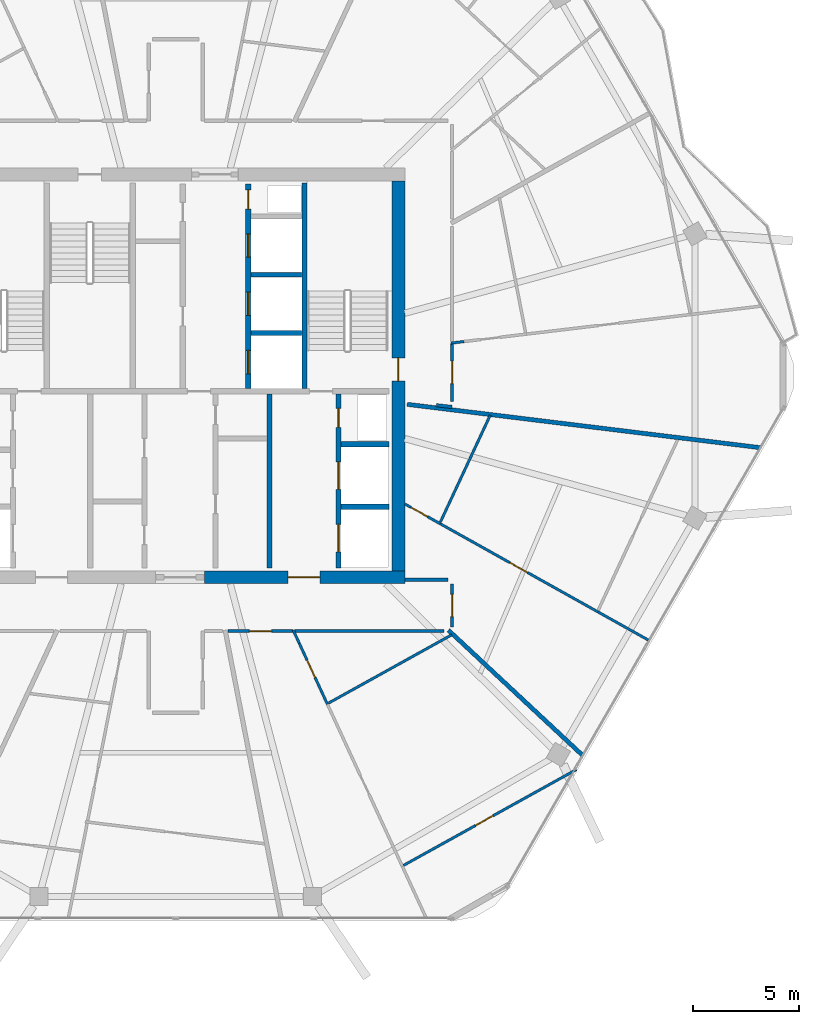
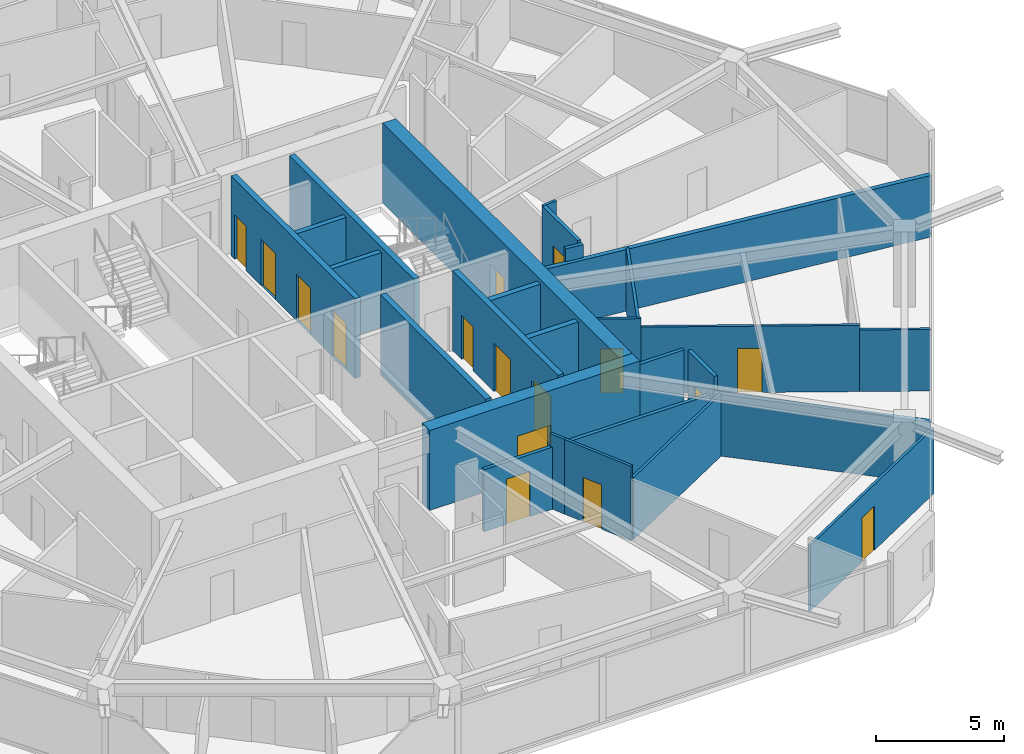
# One storey, part 20 of 26: 27 walls, 16 doors, 16 openings.
"""IFC4 building model written with IfcOpenShell, lengths in metres."""

from ifc_helpers import new_model, si_unit, direction, frame, frame_2d, origin, place, context, subcontext, project, spatial, rectangle, extrude, material, layer, layer_set, type_object, element, fill, save


model = new_model("IFC4")

# Units and contexts
model_context = context("Model", 3, precision=1e-05, world=origin(), true_north=direction((0.0, 1.0)))
body_context = subcontext(model_context, "Body", "Model", "MODEL_VIEW")
ifc_project = project(units=[si_unit("LENGTHUNIT", "METRE"), si_unit("AREAUNIT", "SQUARE_METRE"), si_unit("VOLUMEUNIT", "CUBIC_METRE"), si_unit("PLANEANGLEUNIT", "RADIAN"), si_unit("MASSUNIT", "GRAM", prefix="KILO")], contexts=[model_context])

# Site, building, storey
site_placement = place(None, origin())
site = spatial("IfcSite", under=ifc_project, at=site_placement, CompositionType="ELEMENT")
building_placement = place(site_placement, origin())
building = spatial("IfcBuilding", under=site, at=building_placement, Name="Zuhravey Tower", CompositionType="ELEMENT")
storey_placement = place(building_placement, frame((0.0, 0.0, 273.0)))
storey = spatial("IfcBuildingStorey", under=building, at=storey_placement, Name="L69", CompositionType="ELEMENT", Elevation=273.0)

# Wall, opening, door
ifc_material_1 = material(Name="Concrete C50/60", Category="concrete")
ifc_layer_1 = layer(ifc_material_1, 0.60009765625)
ifc_layer_set_1 = layer_set([ifc_layer_1], Name="Concrete C50/60")
wall_type_1 = type_object("IfcWallType", Name="Core Shear Wall 600", PredefinedType="SHEAR", material=ifc_layer_set_1)
wall_1_placement = place(storey_placement, frame((37.35009765625, 22.5, 0.0), z_axis=(0.0, 0.0, 1.0), x_axis=(1.0, 0.0, 0.0)))
wall_1 = element("IfcWall", 1, at=wall_1_placement, inside=storey, type_object=wall_type_1, Name="L69 South-East Core Shear Wall CW60", PredefinedType="SHEAR", context=body_context, shape_type="SweptSolid", body=[
    extrude(rectangle(XDim=9.449951171875, YDim=0.60009765625, at=frame_2d((4.72509765625, 0.0))), origin(), (0.0, 0.0, 1.0), 3.800048828125),
])
opening_1_placement = place(wall_1_placement, frame((3.949951171875, 0.0, 0.0)))
opening_1 = element("IfcOpeningElement", 2, at=opening_1_placement, cuts=wall_1, Name="Opening FFD1", PredefinedType="OPENING", context=body_context, shape_type="SweptSolid", body=[
    extrude(rectangle(XDim=1.5, YDim=2.14990234375, at=frame_2d((0.75, 1.074951171875))), frame((0.0, 0.31201171875, 0.0), z_axis=(0.0, -1.0, 0.0), x_axis=(1.0, 0.0, 0.0)), (0.0, 0.0, 1.0), 0.6240234375),
])
ifc_material_2 = material(Name="Galvanised fire-rated steel leaf", Category="steel")
door_type_1 = type_object("IfcDoorType", Name="Firefighting Lobby Double Door 1500x2150", OperationType="DOUBLE_DOOR_SINGLE_SWING", PredefinedType="DOOR", material=ifc_material_2)
door_1_placement = place(opening_1_placement, origin())
door_1 = element("IfcDoor", 3, at=door_1_placement, inside=storey, type_object=door_type_1, Name="L69 Firefighting Lobby East Door", OperationType="DOUBLE_DOOR_SINGLE_SWING", OverallHeight=2.14990234375, OverallWidth=1.5, PredefinedType="DOOR", context=body_context, shape_type="SweptSolid", body=[
    extrude(rectangle(XDim=1.5, YDim=2.14990234375, at=frame_2d((0.75, 1.074951171875))), frame((0.0, 0.02490234375, 0.0), z_axis=(0.0, -1.0, 0.0), x_axis=(1.0, 0.0, 0.0)), (0.0, 0.0, 1.0), 0.050048828125),
])
fill(opening_1, door_1)

wall_2_placement = place(storey_placement, frame((46.5, 22.800048828125, 0.0), z_axis=(0.0, 0.0, 1.0), x_axis=(0.0, 1.0, 0.0)))
wall_2 = element("IfcWall", 4, at=wall_2_placement, inside=storey, type_object=wall_type_1, Name="L69 East Core Shear Wall CW60", PredefinedType="SHEAR", context=body_context, shape_type="SweptSolid", body=[
    extrude(rectangle(XDim=18.39990234375, YDim=0.60009765625, at=frame_2d((9.199951171875, 0.0))), origin(), (0.0, 0.0, 1.0), 3.800048828125),
])
opening_2_placement = place(wall_2_placement, frame((8.949951171875, 0.0, 0.0)))
opening_2 = element("IfcOpeningElement", 5, at=opening_2_placement, cuts=wall_2, Name="Opening STD1", PredefinedType="OPENING", context=body_context, shape_type="SweptSolid", body=[
    extrude(rectangle(XDim=1.10009765625, YDim=2.14990234375, at=frame_2d((0.550048828125, 1.074951171875))), frame((0.0, 0.31201171875, 0.0), z_axis=(0.0, -1.0, 0.0), x_axis=(1.0, 0.0, 0.0)), (0.0, 0.0, 1.0), 0.6240234375),
])
door_type_2 = type_object("IfcDoorType", Name="Protected Stair Fire Door 1100x2150", OperationType="NOTDEFINED", PredefinedType="USERDEFINED", material=ifc_material_2)
door_2_placement = place(opening_2_placement, origin())
door_2 = element("IfcDoor", 6, at=door_2_placement, inside=storey, type_object=door_type_2, Name="L69 Stair ST2 Door", ObjectType="EXITDOOR", OperationType="SINGLE_SWING_LEFT", OverallHeight=2.14990234375, OverallWidth=1.10009765625, PredefinedType="USERDEFINED", context=body_context, shape_type="SweptSolid", body=[
    extrude(rectangle(XDim=1.10009765625, YDim=2.14990234375, at=frame_2d((0.550048828125, 1.074951171875))), frame((0.0, 0.02490234375, 0.0), z_axis=(0.0, -1.0, 0.0), x_axis=(1.0, 0.0, 0.0)), (0.0, 0.0, 1.0), 0.050048828125),
])
fill(opening_2, door_2)

ifc_material_3 = material(Name="Gypsum fire-rated stud partition")
ifc_layer_2 = layer(ifc_material_3, 0.159912109375)
ifc_layer_set_2 = layer_set([ifc_layer_2], Name="Gypsum fire-rated stud partition")
wall_type_2 = type_object("IfcWallType", Name="Corridor Fire Partition 160", PredefinedType="PARTITIONING", material=ifc_layer_set_2)
wall_3_placement = place(storey_placement, frame((38.468017578125, 19.969970703125, 0.0), z_axis=(0.0, 0.0, 1.0), x_axis=(1.0, 0.0, 0.0)))
wall_3 = element("IfcWall", 7, at=wall_3_placement, inside=storey, type_object=wall_type_2, Name="L69 IW16 Partition 046", PredefinedType="PARTITIONING", context=body_context, shape_type="SweptSolid", body=[
    extrude(rectangle(XDim=3.068603515625, YDim=0.159912109375, at=frame_2d((1.5341796875, 0.0))), origin(), (0.0, 0.0, 1.0), 2.949951171875),
])
opening_3_placement = place(wall_3_placement, frame((1.00927734375, 0.0, 0.0)))
opening_3 = element("IfcOpeningElement", 8, at=opening_3_placement, cuts=wall_3, Name="Opening APD1", PredefinedType="OPENING", context=body_context, shape_type="SweptSolid", body=[
    extrude(rectangle(XDim=1.050048828125, YDim=2.14990234375, at=frame_2d((0.52490234375, 1.074951171875))), frame((0.0, 0.092041015625, 0.0), z_axis=(0.0, -1.0, 0.0), x_axis=(1.0, 0.0, 0.0)), (0.0, 0.0, 1.0), 0.183837890625),
])
ifc_material_4 = material(Name="Solid-core oak fire-rated leaf")
door_type_3 = type_object("IfcDoorType", Name="Apartment Entrance Fire Door 1050x2150", OperationType="NOTDEFINED", PredefinedType="DOOR", material=ifc_material_4)
door_3_placement = place(opening_3_placement, frame((1.050048828125, 0.0, 0.0), z_axis=(0.0, 0.0, 1.0), x_axis=(-1.0, 0.0, 0.0)))
door_3 = element("IfcDoor", 9, at=door_3_placement, inside=storey, type_object=door_type_3, Name="L69 Door 046.1", OperationType="SINGLE_SWING_LEFT", OverallHeight=2.14990234375, OverallWidth=1.050048828125, PredefinedType="DOOR", context=body_context, shape_type="SweptSolid", body=[
    extrude(rectangle(XDim=1.050048828125, YDim=2.14990234375, at=frame_2d((0.52490234375, 1.074951171875))), frame((0.0, 0.02490234375, 0.0), z_axis=(0.0, -1.0, 0.0), x_axis=(1.0, 0.0, 0.0)), (0.0, 0.0, 1.0), 0.050048828125),
])
fill(opening_3, door_3)

wall_4_placement = place(storey_placement, frame((49.030029296875, 20.14990234375, 0.0), z_axis=(0.0, 0.0, 1.0), x_axis=(0.0, 1.0, 0.0)))
wall_4 = element("IfcWall", 10, at=wall_4_placement, inside=storey, type_object=wall_type_2, Name="L69 IW16 Partition 050", PredefinedType="PARTITIONING", context=body_context, shape_type="SweptSolid", body=[
    extrude(rectangle(XDim=2.050048828125, YDim=0.159912109375, at=frame_2d((1.02490234375, 0.0))), origin(), (0.0, 0.0, 1.0), 3.550048828125),
])
opening_4_placement = place(wall_4_placement, frame((0.5, 0.0, 0.0)))
opening_4 = element("IfcOpeningElement", 11, at=opening_4_placement, cuts=wall_4, Name="Opening APD1", PredefinedType="OPENING", context=body_context, shape_type="SweptSolid", body=[
    extrude(rectangle(XDim=1.050048828125, YDim=2.14990234375, at=frame_2d((0.52490234375, 1.074951171875))), frame((0.0, 0.092041015625, 0.0), z_axis=(0.0, -1.0, 0.0), x_axis=(1.0, 0.0, 0.0)), (0.0, 0.0, 1.0), 0.183837890625),
])
door_4_placement = place(opening_4_placement, frame((1.050048828125, 0.0, 0.0), z_axis=(0.0, 0.0, 1.0), x_axis=(-1.0, 0.0, 0.0)))
door_4 = element("IfcDoor", 12, at=door_4_placement, inside=storey, type_object=door_type_3, Name="L69 Door 050.1", OperationType="SINGLE_SWING_LEFT", OverallHeight=2.14990234375, OverallWidth=1.050048828125, PredefinedType="DOOR", context=body_context, shape_type="SweptSolid", body=[
    extrude(rectangle(XDim=1.050048828125, YDim=2.14990234375, at=frame_2d((0.52490234375, 1.074951171875))), frame((0.0, 0.02490234375, 0.0), z_axis=(0.0, -1.0, 0.0), x_axis=(1.0, 0.0, 0.0)), (0.0, 0.0, 1.0), 0.050048828125),
])
fill(opening_4, door_4)

wall_5_placement = place(storey_placement, frame((49.030029296875, 30.800048828125, 0.0), z_axis=(0.0, 0.0, 1.0), x_axis=(0.0, 1.0, 0.0)))
wall_5 = element("IfcWall", 13, at=wall_5_placement, inside=storey, type_object=wall_type_2, Name="L69 IW16 Partition 054", PredefinedType="PARTITIONING", context=body_context, shape_type="SweptSolid", body=[
    extrude(rectangle(XDim=2.733642578125, YDim=0.159912109375, at=frame_2d((1.36669921875, 0.0))), origin(), (0.0, 0.0, 1.0), 3.550048828125),
])
opening_5_placement = place(wall_5_placement, frame((0.841796875, 0.0, 0.0)))
opening_5 = element("IfcOpeningElement", 14, at=opening_5_placement, cuts=wall_5, Name="Opening APD1", PredefinedType="OPENING", context=body_context, shape_type="SweptSolid", body=[
    extrude(rectangle(XDim=1.050048828125, YDim=2.14990234375, at=frame_2d((0.52490234375, 1.074951171875))), frame((0.0, 0.092041015625, 0.0), z_axis=(0.0, -1.0, 0.0), x_axis=(1.0, 0.0, 0.0)), (0.0, 0.0, 1.0), 0.183837890625),
])
door_5_placement = place(opening_5_placement, frame((1.050048828125, 0.0, 0.0), z_axis=(0.0, 0.0, 1.0), x_axis=(-1.0, 0.0, 0.0)))
door_5 = element("IfcDoor", 15, at=door_5_placement, inside=storey, type_object=door_type_3, Name="L69 Door 054.1", OperationType="SINGLE_SWING_LEFT", OverallHeight=2.14990234375, OverallWidth=1.050048828125, PredefinedType="DOOR", context=body_context, shape_type="SweptSolid", body=[
    extrude(rectangle(XDim=1.050048828125, YDim=2.14990234375, at=frame_2d((0.52490234375, 1.074951171875))), frame((0.0, 0.02490234375, 0.0), z_axis=(0.0, -1.0, 0.0), x_axis=(1.0, 0.0, 0.0)), (0.0, 0.0, 1.0), 0.050048828125),
])
fill(opening_5, door_5)

# Walls
wall_6_placement = place(storey_placement, frame((41.633544921875, 19.969970703125, 0.0), z_axis=(0.0, 0.0, 1.0), x_axis=(1.0, 0.0, 0.0)))
element("IfcWall", 16, at=wall_6_placement, inside=storey, type_object=wall_type_2, Name="L69 IW16 Partition 123", PredefinedType="PARTITIONING", context=body_context, shape_type="SweptSolid", body=[
    extrude(rectangle(XDim=7.014404296875, YDim=0.159912109375, at=frame_2d((3.50732421875, 0.0))), origin(), (0.0, 0.0, 1.0), 2.949951171875),
])
wall_7_placement = place(storey_placement, frame((48.85009765625, 22.3798828125, 0.0), z_axis=(0.0, 0.0, 1.0), x_axis=(-1.0, 0.0, 0.0)))
element("IfcWall", 17, at=wall_7_placement, inside=storey, type_object=wall_type_2, Name="L69 IW16 Partition 124", PredefinedType="PARTITIONING", context=body_context, shape_type="SweptSolid", body=[
    extrude(rectangle(XDim=2.030029296875, YDim=0.159912109375, at=frame_2d((1.01513671875, 0.0))), origin(), (0.0, 0.0, 1.0), 3.550048828125),
])
wall_8_placement = place(storey_placement, frame((49.030029296875, 30.53564453125, 0.0), z_axis=(0.0, 0.0, 1.0), x_axis=(-0.993568487463, 0.113232772287, 0.0)))
element("IfcWall", 18, at=wall_8_placement, inside=storey, type_object=wall_type_2, Name="L69 IW16 Partition 125", PredefinedType="PARTITIONING", context=body_context, shape_type="SweptSolid", body=[
    extrude(rectangle(XDim=0.74609375, YDim=0.159912109375, at=frame_2d((0.373046875, 0.0))), origin(), (0.0, 0.0, 1.0), 3.550048828125),
])
ifc_layer_3 = layer(ifc_material_1, 0.25)
ifc_layer_set_3 = layer_set([ifc_layer_3], Name="Concrete C50/60")
wall_type_3 = type_object("IfcWallType", Name="Firefighting Shaft & Stair Wall 250", PredefinedType="SOLIDWALL", material=ifc_layer_set_3)
wall_9_placement = place(storey_placement, frame((42.074951171875, 31.39990234375, 0.0), z_axis=(0.0, 0.0, 1.0), x_axis=(0.0, 1.0, 0.0)))
element("IfcWall", 19, at=wall_9_placement, inside=storey, type_object=wall_type_3, Name="L69 FW25 Shaft Wall 006", PredefinedType="SOLIDWALL", context=body_context, shape_type="SweptSolid", body=[
    extrude(rectangle(XDim=9.7001953125, YDim=0.25, at=frame_2d((4.85009765625, 0.0))), origin(), (0.0, 0.0, 1.0), 3.800048828125),
])

# Wall, openings, doors
wall_10_placement = place(storey_placement, frame((39.425048828125, 31.39990234375, 0.0), z_axis=(0.0, 0.0, 1.0), x_axis=(0.0, 1.0, 0.0)))
wall_10 = element("IfcWall", 20, at=wall_10_placement, inside=storey, type_object=wall_type_3, Name="L69 FW25 Shaft Wall 008", PredefinedType="SOLIDWALL", context=body_context, shape_type="SweptSolid", body=[
    extrude(rectangle(XDim=9.650146484375, YDim=0.25, at=frame_2d((4.8251953125, 0.0))), origin(), (0.0, 0.0, 1.0), 3.800048828125),
])
opening_6_placement = place(wall_10_placement, frame((0.699951171875, 0.0, 0.0)))
opening_6 = element("IfcOpeningElement", 21, at=opening_6_placement, cuts=wall_10, Name="Opening LD1", PredefinedType="OPENING", context=body_context, shape_type="SweptSolid", body=[
    extrude(rectangle(XDim=1.10009765625, YDim=2.199951171875, at=frame_2d((0.550048828125, 1.10009765625))), frame((0.0, 0.136962890625, 0.0), z_axis=(0.0, -1.0, 0.0), x_axis=(1.0, 0.0, 0.0)), (0.0, 0.0, 1.0), 0.27392578125),
])
opening_7_placement = place(wall_10_placement, frame((3.449951171875, 0.0, 0.0)))
opening_7 = element("IfcOpeningElement", 22, at=opening_7_placement, cuts=wall_10, Name="Opening LD1", PredefinedType="OPENING", context=body_context, shape_type="SweptSolid", body=[
    extrude(rectangle(XDim=1.10009765625, YDim=2.199951171875, at=frame_2d((0.550048828125, 1.10009765625))), frame((0.0, 0.136962890625, 0.0), z_axis=(0.0, -1.0, 0.0), x_axis=(1.0, 0.0, 0.0)), (0.0, 0.0, 1.0), 0.27392578125),
])
opening_8_placement = place(wall_10_placement, frame((6.199951171875, 0.0, 0.0)))
opening_8 = element("IfcOpeningElement", 23, at=opening_8_placement, cuts=wall_10, Name="Opening LD1", PredefinedType="OPENING", context=body_context, shape_type="SweptSolid", body=[
    extrude(rectangle(XDim=1.10009765625, YDim=2.199951171875, at=frame_2d((0.550048828125, 1.10009765625))), frame((0.0, 0.136962890625, 0.0), z_axis=(0.0, -1.0, 0.0), x_axis=(1.0, 0.0, 0.0)), (0.0, 0.0, 1.0), 0.27392578125),
])
opening_9_placement = place(wall_10_placement, frame((8.469970703125, 0.0, 0.0)))
opening_9 = element("IfcOpeningElement", 24, at=opening_9_placement, cuts=wall_10, Name="Opening RSD1", PredefinedType="OPENING", context=body_context, shape_type="SweptSolid", body=[
    extrude(rectangle(XDim=0.89990234375, YDim=2.10009765625, at=frame_2d((0.449951171875, 1.050048828125))), frame((0.0, 0.136962890625, 0.0), z_axis=(0.0, -1.0, 0.0), x_axis=(1.0, 0.0, 0.0)), (0.0, 0.0, 1.0), 0.27392578125),
])
ifc_material_5 = material(Name="Brushed stainless steel", Category="steel")
door_type_4 = type_object("IfcDoorType", Name="Lift Landing Sliding Door 1100x2200", OperationType="DOUBLE_DOOR_SLIDING", PredefinedType="DOOR", material=ifc_material_5)
door_6_placement = place(opening_6_placement, origin())
door_6 = element("IfcDoor", 25, at=door_6_placement, inside=storey, type_object=door_type_4, Name="L69 Lift PL7 Landing Door", OperationType="DOUBLE_DOOR_SLIDING", OverallHeight=2.199951171875, OverallWidth=1.10009765625, PredefinedType="DOOR", context=body_context, shape_type="SweptSolid", body=[
    extrude(rectangle(XDim=1.10009765625, YDim=2.199951171875, at=frame_2d((0.550048828125, 1.10009765625))), frame((0.0, 0.02490234375, 0.0), z_axis=(0.0, -1.0, 0.0), x_axis=(1.0, 0.0, 0.0)), (0.0, 0.0, 1.0), 0.050048828125),
])
fill(opening_6, door_6)
door_7_placement = place(opening_7_placement, origin())
door_7 = element("IfcDoor", 26, at=door_7_placement, inside=storey, type_object=door_type_4, Name="L69 Lift PL8 Landing Door", OperationType="DOUBLE_DOOR_SLIDING", OverallHeight=2.199951171875, OverallWidth=1.10009765625, PredefinedType="DOOR", context=body_context, shape_type="SweptSolid", body=[
    extrude(rectangle(XDim=1.10009765625, YDim=2.199951171875, at=frame_2d((0.550048828125, 1.10009765625))), frame((0.0, 0.02490234375, 0.0), z_axis=(0.0, -1.0, 0.0), x_axis=(1.0, 0.0, 0.0)), (0.0, 0.0, 1.0), 0.050048828125),
])
fill(opening_7, door_7)
door_8_placement = place(opening_8_placement, origin())
door_8 = element("IfcDoor", 27, at=door_8_placement, inside=storey, type_object=door_type_4, Name="L69 Lift PL9 Landing Door", OperationType="DOUBLE_DOOR_SLIDING", OverallHeight=2.199951171875, OverallWidth=1.10009765625, PredefinedType="DOOR", context=body_context, shape_type="SweptSolid", body=[
    extrude(rectangle(XDim=1.10009765625, YDim=2.199951171875, at=frame_2d((0.550048828125, 1.10009765625))), frame((0.0, 0.02490234375, 0.0), z_axis=(0.0, -1.0, 0.0), x_axis=(1.0, 0.0, 0.0)), (0.0, 0.0, 1.0), 0.050048828125),
])
fill(opening_8, door_8)
ifc_material_6 = material(Name="Galvanised fire-rated steel access leaf", Category="steel")
door_type_5 = type_object("IfcDoorType", Name="Riser & Shaft Access Fire Door 900x2100", OperationType="NOTDEFINED", PredefinedType="DOOR", material=ifc_material_6)
door_9_placement = place(opening_9_placement, origin())
door_9 = element("IfcDoor", 28, at=door_9_placement, inside=storey, type_object=door_type_5, Name="L69 North Riser Door", OperationType="SINGLE_SWING_RIGHT", OverallHeight=2.10009765625, OverallWidth=0.89990234375, PredefinedType="DOOR", context=body_context, shape_type="SweptSolid", body=[
    extrude(rectangle(XDim=0.89990234375, YDim=2.10009765625, at=frame_2d((0.449951171875, 1.050048828125))), frame((0.0, 0.02490234375, 0.0), z_axis=(0.0, -1.0, 0.0), x_axis=(1.0, 0.0, 0.0)), (0.0, 0.0, 1.0), 0.050048828125),
])
fill(opening_9, door_9)

# Walls
wall_11_placement = place(storey_placement, frame((40.425048828125, 22.949951171875, 0.0), z_axis=(0.0, 0.0, 1.0), x_axis=(0.0, 1.0, 0.0)))
element("IfcWall", 29, at=wall_11_placement, inside=storey, type_object=wall_type_3, Name="L69 FW25 Shaft Wall 017", PredefinedType="SOLIDWALL", context=body_context, shape_type="SweptSolid", body=[
    extrude(rectangle(XDim=8.199951171875, YDim=0.25, at=frame_2d((4.10009765625, 0.0))), origin(), (0.0, 0.0, 1.0), 3.800048828125),
])
for number, where, z_axis, x_axis, name in (
    (30, (43.800048828125, 25.824951171875, 0.0), (0.0, 0.0, 1.0), (1.0, 0.0, 0.0), "L69 FW25 Shaft Wall 018"),
    (31, (43.800048828125, 28.77490234375, 0.0), (0.0, 0.0, 1.0), (1.0, 0.0, 0.0), "L69 FW25 Shaft Wall 019"),
):
    element("IfcWall", number, at=place(storey_placement, frame(where, z_axis=z_axis, x_axis=x_axis)), inside=storey, type_object=wall_type_3, Name=name, PredefinedType="SOLIDWALL", context=body_context, shape_type="SweptSolid", body=[
        extrude(rectangle(XDim=2.25, YDim=0.25, at=frame_2d((1.125, 0.0))), origin(), (0.0, 0.0, 1.0), 3.800048828125),
    ])

# Wall, openings, doors
wall_12_placement = place(storey_placement, frame((43.675048828125, 22.949951171875, 0.0), z_axis=(0.0, 0.0, 1.0), x_axis=(0.0, 1.0, 0.0)))
wall_12 = element("IfcWall", 32, at=wall_12_placement, inside=storey, type_object=wall_type_3, Name="L69 FW25 Shaft Wall 020", PredefinedType="SOLIDWALL", context=body_context, shape_type="SweptSolid", body=[
    extrude(rectangle(XDim=8.199951171875, YDim=0.25, at=frame_2d((4.10009765625, 0.0))), origin(), (0.0, 0.0, 1.0), 3.800048828125),
])
opening_10_placement = place(wall_12_placement, frame((0.75, 0.0, 0.0)))
opening_10 = element("IfcOpeningElement", 33, at=opening_10_placement, cuts=wall_12, Name="Opening LD2", PredefinedType="OPENING", context=body_context, shape_type="SweptSolid", body=[
    extrude(rectangle(XDim=1.300048828125, YDim=2.300048828125, at=frame_2d((0.64990234375, 1.14990234375))), frame((0.0, 0.136962890625, 0.0), z_axis=(0.0, -1.0, 0.0), x_axis=(1.0, 0.0, 0.0)), (0.0, 0.0, 1.0), 0.27392578125),
])
opening_11_placement = place(wall_12_placement, frame((3.699951171875, 0.0, 0.0)))
opening_11 = element("IfcOpeningElement", 34, at=opening_11_placement, cuts=wall_12, Name="Opening LD2", PredefinedType="OPENING", context=body_context, shape_type="SweptSolid", body=[
    extrude(rectangle(XDim=1.300048828125, YDim=2.300048828125, at=frame_2d((0.64990234375, 1.14990234375))), frame((0.0, 0.136962890625, 0.0), z_axis=(0.0, -1.0, 0.0), x_axis=(1.0, 0.0, 0.0)), (0.0, 0.0, 1.0), 0.27392578125),
])
opening_12_placement = place(wall_12_placement, frame((6.6201171875, 0.0, 0.0)))
opening_12 = element("IfcOpeningElement", 35, at=opening_12_placement, cuts=wall_12, Name="Opening RSD1", PredefinedType="OPENING", context=body_context, shape_type="SweptSolid", body=[
    extrude(rectangle(XDim=0.89990234375, YDim=2.10009765625, at=frame_2d((0.449951171875, 1.050048828125))), frame((0.0, 0.136962890625, 0.0), z_axis=(0.0, -1.0, 0.0), x_axis=(1.0, 0.0, 0.0)), (0.0, 0.0, 1.0), 0.27392578125),
])
door_type_6 = type_object("IfcDoorType", Name="Freight & Stretcher Lift Sliding Door 1300x2300", OperationType="DOUBLE_DOOR_SLIDING", PredefinedType="DOOR", material=ifc_material_5)
door_10_placement = place(opening_10_placement, origin())
door_10 = element("IfcDoor", 36, at=door_10_placement, inside=storey, type_object=door_type_6, Name="L69 Lift FF2 Landing Door", OperationType="DOUBLE_DOOR_SLIDING", OverallHeight=2.300048828125, OverallWidth=1.300048828125, PredefinedType="DOOR", context=body_context, shape_type="SweptSolid", body=[
    extrude(rectangle(XDim=1.300048828125, YDim=2.300048828125, at=frame_2d((0.64990234375, 1.14990234375))), frame((0.0, 0.02490234375, 0.0), z_axis=(0.0, -1.0, 0.0), x_axis=(1.0, 0.0, 0.0)), (0.0, 0.0, 1.0), 0.050048828125),
])
fill(opening_10, door_10)
door_11_placement = place(opening_11_placement, origin())
door_11 = element("IfcDoor", 37, at=door_11_placement, inside=storey, type_object=door_type_6, Name="L69 Lift SV1 Landing Door", OperationType="DOUBLE_DOOR_SLIDING", OverallHeight=2.300048828125, OverallWidth=1.300048828125, PredefinedType="DOOR", context=body_context, shape_type="SweptSolid", body=[
    extrude(rectangle(XDim=1.300048828125, YDim=2.300048828125, at=frame_2d((0.64990234375, 1.14990234375))), frame((0.0, 0.02490234375, 0.0), z_axis=(0.0, -1.0, 0.0), x_axis=(1.0, 0.0, 0.0)), (0.0, 0.0, 1.0), 0.050048828125),
])
fill(opening_11, door_11)
door_12_placement = place(opening_12_placement, origin())
door_12 = element("IfcDoor", 38, at=door_12_placement, inside=storey, type_object=door_type_5, Name="L69 Plumbing Riser Door", OperationType="SINGLE_SWING_LEFT", OverallHeight=2.10009765625, OverallWidth=0.89990234375, PredefinedType="DOOR", context=body_context, shape_type="SweptSolid", body=[
    extrude(rectangle(XDim=0.89990234375, YDim=2.10009765625, at=frame_2d((0.449951171875, 1.050048828125))), frame((0.0, 0.02490234375, 0.0), z_axis=(0.0, -1.0, 0.0), x_axis=(1.0, 0.0, 0.0)), (0.0, 0.0, 1.0), 0.050048828125),
])
fill(opening_12, door_12)

# Walls
ifc_material_7 = material(Name="Gypsum double-stud party assembly")
ifc_layer_4 = layer(ifc_material_7, 0.199951171875)
ifc_layer_set_4 = layer_set([ifc_layer_4], Name="Gypsum double-stud party assembly")
wall_type_4 = type_object("IfcWallType", Name="Inter-Tenancy Party Wall 200", PredefinedType="PARTITIONING", material=ifc_layer_set_4)
wall_13_placement = place(storey_placement, frame((48.857421875, 20.010498046875, 0.0), z_axis=(0.0, 0.0, 1.0), x_axis=(0.731342217011, -0.682010675589, 0.0)))
element("IfcWall", 39, at=wall_13_placement, inside=storey, type_object=wall_type_4, Name="L69 IW20 Partition 094", PredefinedType="PARTITIONING", context=body_context, shape_type="SweptSolid", body=[
    extrude(rectangle(XDim=8.65576171875, YDim=0.199951171875, at=frame_2d((4.327880859375, 0.0))), origin(), (0.0, 0.0, 1.0), 2.929931640625),
])
wall_14_placement = place(storey_placement, frame((46.913330078125, 30.659912109375, 0.0), z_axis=(0.0, 0.0, 1.0), x_axis=(0.992546420308, -0.121867155269, 0.0)))
element("IfcWall", 40, at=wall_14_placement, inside=storey, type_object=wall_type_4, Name="L69 IW20 Partition 097", PredefinedType="PARTITIONING", context=body_context, shape_type="SweptSolid", body=[
    extrude(rectangle(XDim=16.77587890625, YDim=0.199951171875, at=frame_2d((8.387939453125, 0.0))), origin(), (0.0, 0.0, 1.0), 2.929931640625),
])
ifc_material_8 = material(Name="Gypsum acoustic stud assembly")
ifc_layer_5 = layer(ifc_material_8, 0.219970703125)
ifc_layer_set_5 = layer_set([ifc_layer_5], Name="Gypsum acoustic stud assembly")
wall_type_5 = type_object("IfcWallType", Name="School Acoustic Compartment Wall 220", PredefinedType="PARTITIONING", material=ifc_layer_set_5)
for number, where, z_axis, x_axis, name in (
    (41, (39.55810546875, 34.02490234375, 0.0), (0.0, 0.0, 1.0), (1.0, 0.0, 0.0), "L69 IW22 Partition 071"),
    (42, (39.55810546875, 36.77490234375, 0.0), (0.0, 0.0, 1.0), (1.0, 0.0, 0.0), "L69 IW22 Partition 072"),
):
    element("IfcWall", number, at=place(storey_placement, frame(where, z_axis=z_axis, x_axis=x_axis)), inside=storey, type_object=wall_type_5, Name=name, PredefinedType="PARTITIONING", context=body_context, shape_type="SweptSolid", body=[
        extrude(rectangle(XDim=2.3837890625, YDim=0.219970703125, at=frame_2d((1.19189453125, 0.0))), origin(), (0.0, 0.0, 1.0), 3.550048828125),
    ])

# Wall, opening, door
ifc_material_9 = material(Name="Gypsum metal-stud partition")
ifc_layer_6 = layer(ifc_material_9, 0.1201171875)
ifc_layer_set_6 = layer_set([ifc_layer_6], Name="Gypsum metal-stud partition")
wall_type_6 = type_object("IfcWallType", Name="Unit Internal Partition 120", PredefinedType="PARTITIONING", material=ifc_layer_set_6)
wall_15_placement = place(storey_placement, frame((41.822021484375, 19.39990234375, 0.0), z_axis=(0.0, 0.0, 1.0), x_axis=(0.419438119549, -0.907783930167, 0.0)))
wall_15 = element("IfcWall", 43, at=wall_15_placement, inside=storey, type_object=wall_type_6, Name="L69 IW12 Partition 043", PredefinedType="PARTITIONING", context=body_context, shape_type="SweptSolid", body=[
    extrude(rectangle(XDim=3.177978515625, YDim=0.1201171875, at=frame_2d((1.5888671875, 0.0))), origin(), (0.0, 0.0, 1.0), 3.550048828125),
])
opening_13_placement = place(wall_15_placement, frame((0.884765625, 0.0, 0.0)))
opening_13 = element("IfcOpeningElement", 44, at=opening_13_placement, cuts=wall_15, Name="Opening WCD1", PredefinedType="OPENING", context=body_context, shape_type="SweptSolid", body=[
    extrude(rectangle(XDim=0.89990234375, YDim=2.10009765625, at=frame_2d((0.449951171875, 1.050048828125))), frame((0.0, 0.072021484375, 0.0), z_axis=(0.0, -1.0, 0.0), x_axis=(1.0, 0.0, 0.0)), (0.0, 0.0, 1.0), 0.14404296875),
])
ifc_material_10 = material(Name="Moisture-resistant timber leaf", Category="wood")
door_type_7 = type_object("IfcDoorType", Name="Bathroom & WC Internal Door 900x2100", OperationType="NOTDEFINED", PredefinedType="DOOR", material=ifc_material_10)
door_13_placement = place(opening_13_placement, origin())
door_13 = element("IfcDoor", 45, at=door_13_placement, inside=storey, type_object=door_type_7, Name="Apartment L69-05 Bathroom Door", OperationType="SINGLE_SWING_RIGHT", OverallHeight=2.10009765625, OverallWidth=0.89990234375, PredefinedType="DOOR", context=body_context, shape_type="SweptSolid", body=[
    extrude(rectangle(XDim=0.89990234375, YDim=2.10009765625, at=frame_2d((0.449951171875, 1.050048828125))), frame((0.0, 0.02490234375, 0.0), z_axis=(0.0, -1.0, 0.0), x_axis=(1.0, 0.0, 0.0)), (0.0, 0.0, 1.0), 0.050048828125),
])
fill(opening_13, door_13)

wall_16_placement = place(storey_placement, frame((46.739990234375, 8.918212890625, 0.0), z_axis=(0.0, 0.0, 1.0), x_axis=(0.874617638419, 0.484813352298, 0.0)))
wall_16 = element("IfcWall", 46, at=wall_16_placement, inside=storey, type_object=wall_type_6, Name="L69 IW12 Partition 045", PredefinedType="PARTITIONING", context=body_context, shape_type="SweptSolid", body=[
    extrude(rectangle(XDim=9.32275390625, YDim=0.1201171875, at=frame_2d((4.661376953125, 0.0))), origin(), (0.0, 0.0, 1.0), 3.1220703125),
])
opening_14_placement = place(wall_16_placement, frame((3.882080078125, 0.0, 0.0)))
opening_14 = element("IfcOpeningElement", 47, at=opening_14_placement, cuts=wall_16, Name="Opening IND1", PredefinedType="OPENING", context=body_context, shape_type="SweptSolid", body=[
    extrude(rectangle(XDim=0.949951171875, YDim=2.10009765625, at=frame_2d((0.47509765625, 1.050048828125))), frame((0.0, 0.072021484375, 0.0), z_axis=(0.0, -1.0, 0.0), x_axis=(1.0, 0.0, 0.0)), (0.0, 0.0, 1.0), 0.14404296875),
])
ifc_material_11 = material(Name="Painted engineered timber leaf", Category="wood")
door_type_8 = type_object("IfcDoorType", Name="Internal Room & Bedroom Door 950x2100", OperationType="NOTDEFINED", PredefinedType="DOOR", material=ifc_material_11)
door_14_placement = place(opening_14_placement, frame((0.949951171875, 0.0, 0.0), z_axis=(0.0, 0.0, 1.0), x_axis=(-1.0, 0.0, 0.0)))
door_14 = element("IfcDoor", 48, at=door_14_placement, inside=storey, type_object=door_type_8, Name="Apartment L69-05 Bedroom 1 Door", OperationType="SINGLE_SWING_RIGHT", OverallHeight=2.10009765625, OverallWidth=0.949951171875, PredefinedType="DOOR", context=body_context, shape_type="SweptSolid", body=[
    extrude(rectangle(XDim=0.949951171875, YDim=2.10009765625, at=frame_2d((0.47509765625, 1.050048828125))), frame((0.0, 0.02490234375, 0.0), z_axis=(0.0, -1.0, 0.0), x_axis=(1.0, 0.0, 0.0)), (0.0, 0.0, 1.0), 0.050048828125),
])
fill(opening_14, door_14)

wall_17_placement = place(storey_placement, frame((46.80810546875, 25.959716796875, 0.0), z_axis=(0.0, 0.0, 1.0), x_axis=(0.872879297485, -0.487936196672, 0.0)))
wall_17 = element("IfcWall", 49, at=wall_17_placement, inside=storey, type_object=wall_type_6, Name="L69 IW12 Partition 047", PredefinedType="PARTITIONING", context=body_context, shape_type="SweptSolid", body=[
    extrude(rectangle(XDim=1.90576171875, YDim=0.1201171875, at=frame_2d((0.952880859375, 0.0))), origin(), (0.0, 0.0, 1.0), 3.550048828125),
])
opening_15_placement = place(wall_17_placement, frame((0.32861328125, 0.0, 0.0)))
opening_15 = element("IfcOpeningElement", 50, at=opening_15_placement, cuts=wall_17, Name="Opening WCD1", PredefinedType="OPENING", context=body_context, shape_type="SweptSolid", body=[
    extrude(rectangle(XDim=0.89990234375, YDim=2.10009765625, at=frame_2d((0.449951171875, 1.050048828125))), frame((0.0, 0.072021484375, 0.0), z_axis=(0.0, -1.0, 0.0), x_axis=(1.0, 0.0, 0.0)), (0.0, 0.0, 1.0), 0.14404296875),
])
door_15_placement = place(opening_15_placement, origin())
door_15 = element("IfcDoor", 51, at=door_15_placement, inside=storey, type_object=door_type_7, Name="Apartment L69-06 Bathroom Door", OperationType="SINGLE_SWING_RIGHT", OverallHeight=2.10009765625, OverallWidth=0.89990234375, PredefinedType="DOOR", context=body_context, shape_type="SweptSolid", body=[
    extrude(rectangle(XDim=0.89990234375, YDim=2.10009765625, at=frame_2d((0.449951171875, 1.050048828125))), frame((0.0, 0.02490234375, 0.0), z_axis=(0.0, -1.0, 0.0), x_axis=(1.0, 0.0, 0.0)), (0.0, 0.0, 1.0), 0.050048828125),
])
fill(opening_15, door_15)

wall_18_placement = place(storey_placement, frame((48.4716796875, 25.02978515625, 0.0), z_axis=(0.0, 0.0, 1.0), x_axis=(0.872916935633, -0.487868858901, 0.0)))
wall_18 = element("IfcWall", 52, at=wall_18_placement, inside=storey, type_object=wall_type_6, Name="L69 IW12 Partition 048", PredefinedType="PARTITIONING", context=body_context, shape_type="SweptSolid", body=[
    extrude(rectangle(XDim=8.524169921875, YDim=0.1201171875, at=frame_2d((4.26220703125, 0.0))), origin(), (0.0, 0.0, 1.0), 3.14990234375),
])
opening_16_placement = place(wall_18_placement, frame((3.761962890625, 0.0, 0.0)))
opening_16 = element("IfcOpeningElement", 53, at=opening_16_placement, cuts=wall_18, Name="Opening IND1", PredefinedType="OPENING", context=body_context, shape_type="SweptSolid", body=[
    extrude(rectangle(XDim=0.949951171875, YDim=2.10009765625, at=frame_2d((0.47509765625, 1.050048828125))), frame((0.0, 0.072021484375, 0.0), z_axis=(0.0, -1.0, 0.0), x_axis=(1.0, 0.0, 0.0)), (0.0, 0.0, 1.0), 0.14404296875),
])
door_16_placement = place(opening_16_placement, origin())
door_16 = element("IfcDoor", 54, at=door_16_placement, inside=storey, type_object=door_type_8, Name="Apartment L69-06 Home Office Door", OperationType="SINGLE_SWING_LEFT", OverallHeight=2.10009765625, OverallWidth=0.949951171875, PredefinedType="DOOR", context=body_context, shape_type="SweptSolid", body=[
    extrude(rectangle(XDim=0.949951171875, YDim=2.10009765625, at=frame_2d((0.47509765625, 1.050048828125))), frame((0.0, 0.02490234375, 0.0), z_axis=(0.0, -1.0, 0.0), x_axis=(1.0, 0.0, 0.0)), (0.0, 0.0, 1.0), 0.050048828125),
])
fill(opening_16, door_16)

# Walls
wall_19_placement = place(storey_placement, frame((41.538818359375, 20.0126953125, 0.0), z_axis=(0.0, 0.0, 1.0), x_axis=(0.419516805105, -0.907747569666, 0.0)))
element("IfcWall", 55, at=wall_19_placement, inside=storey, type_object=wall_type_6, Name="L69 IW12 Partition 091", PredefinedType="PARTITIONING", context=body_context, shape_type="SweptSolid", body=[
    extrude(rectangle(XDim=0.675048828125, YDim=0.1201171875, at=frame_2d((0.33740234375, 0.0))), origin(), (0.0, 0.0, 1.0), 3.550048828125),
])
wall_20_placement = place(storey_placement, frame((43.2041015625, 16.57080078125, 0.0), z_axis=(0.0, 0.0, 1.0), x_axis=(0.874626847506, 0.48479673846, 0.0)))
element("IfcWall", 56, at=wall_20_placement, inside=storey, type_object=wall_type_6, Name="L69 IW12 Partition 093", PredefinedType="PARTITIONING", context=body_context, shape_type="SweptSolid", body=[
    extrude(rectangle(XDim=6.640380859375, YDim=0.1201171875, at=frame_2d((3.3203125, 0.0))), origin(), (0.0, 0.0, 1.0), 2.949951171875),
])
wall_21_placement = place(storey_placement, frame((55.91259765625, 20.87109375, 0.0), z_axis=(0.0, 0.0, 1.0), x_axis=(0.872940157906, -0.487827306242, 0.0)))
element("IfcWall", 57, at=wall_21_placement, inside=storey, type_object=wall_type_6, Name="L69 IW12 Partition 095", PredefinedType="PARTITIONING", context=body_context, shape_type="SweptSolid", body=[
    extrude(rectangle(XDim=2.759521484375, YDim=0.1201171875, at=frame_2d((1.3798828125, 0.0))), origin(), (0.0, 0.0, 1.0), 2.929931640625),
])
wall_22_placement = place(storey_placement, frame((48.478759765625, 25.103759765625, 0.0), z_axis=(0.0, 0.0, 1.0), x_axis=(0.422623708153, 0.906305247313, 0.0)))
element("IfcWall", 58, at=wall_22_placement, inside=storey, type_object=wall_type_6, Name="L69 IW12 Partition 096", PredefinedType="PARTITIONING", context=body_context, shape_type="SweptSolid", body=[
    extrude(rectangle(XDim=5.56591796875, YDim=0.1201171875, at=frame_2d((2.782958984375, 0.0))), origin(), (0.0, 0.0, 1.0), 2.949951171875),
])
wall_23_placement = place(storey_placement, frame((48.985107421875, 33.54833984375, 0.0), z_axis=(0.0, 0.0, 1.0), x_axis=(0.992982764492, 0.118259162107, 0.0)))
element("IfcWall", 59, at=wall_23_placement, inside=storey, type_object=wall_type_6, Name="L69 IW12 Partition 098", PredefinedType="PARTITIONING", context=body_context, shape_type="SweptSolid", body=[
    extrude(rectangle(XDim=0.619384765625, YDim=0.1201171875, at=frame_2d((0.3095703125, 0.0))), origin(), (0.0, 0.0, 1.0), 3.550048828125),
])

save(model, "model.ifc")
